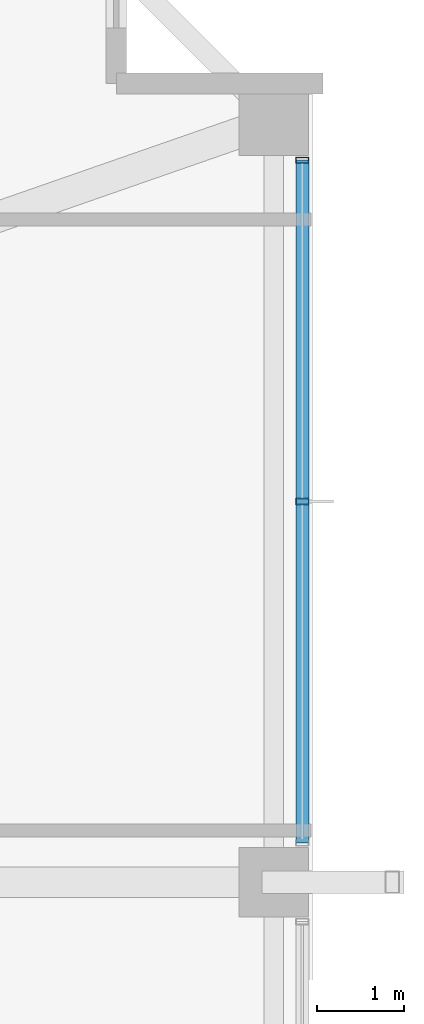
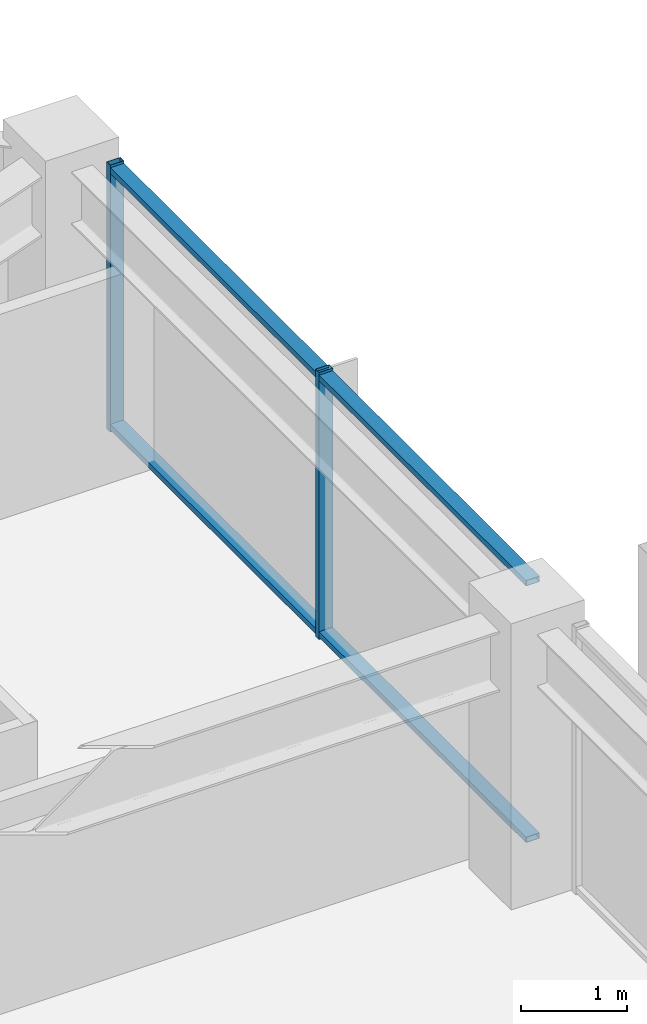
# One storey, part 23 of 38: 4 members, 1 element without a shape of its own.
"""IFC4 building model written with IfcOpenShell, lengths in metres."""

from ifc_helpers import new_model, si_unit, direction, frame, origin, origin_2d, place, context, subcontext, project, spatial, hollow_rectangle, extrude, material, material_profile, profile_set, type_object, element, aggregate, save


model = new_model("IFC4")

# Units and contexts
model_context = context("Model", 3, precision=1e-05, world=origin(), true_north=direction((0.0, 1.0)))
body_context = subcontext(model_context, "Body", "Model", "MODEL_VIEW")
ifc_project = project(units=[si_unit("LENGTHUNIT", "METRE"), si_unit("AREAUNIT", "SQUARE_METRE"), si_unit("VOLUMEUNIT", "CUBIC_METRE"), si_unit("PLANEANGLEUNIT", "RADIAN"), si_unit("MASSUNIT", "GRAM", prefix="KILO")], contexts=[model_context])

# Site, building, storey
site_placement = place(None, origin())
site = spatial("IfcSite", under=ifc_project, at=site_placement, CompositionType="ELEMENT")
building_placement = place(site_placement, origin())
building = spatial("IfcBuilding", under=site, at=building_placement, Name="Kolvaren Belvedere", CompositionType="ELEMENT")
storey_placement = place(building_placement, frame((0.0, 0.0, 213.0)))
storey = spatial("IfcBuildingStorey", under=building, at=storey_placement, Name="L62", CompositionType="ELEMENT", Elevation=213.0)

# Curtain wall, members
ifc_material_1 = material(Name="Anodised pale-metal aluminium AA 6063-T6", Category="aluminium")
curtain_wall_type = type_object("IfcCurtainWallType", Name="CW-Z5-HIGH", PredefinedType="NOTDEFINED", material=ifc_material_1)
curtain_wall_placement = place(storey_placement, origin())
curtain_wall = element("IfcCurtainWall", 1, at=curtain_wall_placement, inside=storey, type_object=curtain_wall_type, Name="L62 Unitised Curtain Wall FCW-L62-E-B1", PredefinedType="NOTDEFINED")
ifc_material_2 = material(Name="Anodised pale-metal aluminium AA 6063-T6", Category="aluminium")
ifc_material_profile_1 = material_profile(ifc_material_2, hollow_rectangle(XDim=0.070068359375, YDim=0.14990234375, WallThickness=0.004150390625, at=origin_2d()), Name="ALU-MUL-150X70")
ifc_profile_set_1 = profile_set([ifc_material_profile_1], Name="Anodised pale-metal aluminium AA 6063-T6")
member_type_1 = type_object("IfcMemberType", Name="CW-MUL-150", PredefinedType="MULLION", material=ifc_profile_set_1)
member_1_placement = place(storey_placement, frame((20.280029296875, 12.945068359375, 0.0), z_axis=(0.0, 0.0, 1.0), x_axis=(0.0, 1.0, 0.0)))
member_1 = element("IfcMember", 2, at=member_1_placement, type_object=member_type_1, Name="FCW-L62-E-B1 Unitised Mullion 1", PredefinedType="MULLION", context=body_context, shape_type="SweptSolid", body=[
    extrude(hollow_rectangle(XDim=0.070068359375, YDim=0.14990234375, WallThickness=0.004150390625, at=origin_2d()), origin(), (0.0, 0.0, 1.0), 3.080078125),
])
member_2_placement = place(storey_placement, frame((20.280029296875, 9.0, 0.0), z_axis=(0.0, 0.0, 1.0), x_axis=(0.0, 1.0, 0.0)))
member_2 = element("IfcMember", 3, at=member_2_placement, type_object=member_type_1, Name="FCW-L62-E-B1 Unitised Mullion 2", PredefinedType="MULLION", context=body_context, shape_type="SweptSolid", body=[
    extrude(hollow_rectangle(XDim=0.070068359375, YDim=0.14990234375, WallThickness=0.004150390625, at=origin_2d()), origin(), (0.0, 0.0, 1.0), 3.080078125),
])
ifc_material_3 = material(Name="Anodised pale-metal aluminium AA 6063-T6", Category="aluminium")
ifc_material_profile_2 = material_profile(ifc_material_3, hollow_rectangle(XDim=0.06494140625, YDim=0.14990234375, WallThickness=0.00390625, at=origin_2d()), Name="ALU-TRN-150X65")
ifc_profile_set_2 = profile_set([ifc_material_profile_2], Name="Anodised pale-metal aluminium AA 6063-T6")
member_type_2 = type_object("IfcMemberType", Name="CW-TRN-150", PredefinedType="USERDEFINED", material=ifc_profile_set_2)
member_3_placement = place(storey_placement, frame((20.280029296875, 12.945068359375, 0.06005859375), z_axis=(0.0, -1.0, 0.0), x_axis=(0.0, 0.0, 1.0)))
member_3 = element("IfcMember", 4, at=member_3_placement, type_object=member_type_2, Name="FCW-L62-E-B1 Sill Transom", ObjectType="TRANSOM", PredefinedType="USERDEFINED", context=body_context, shape_type="SweptSolid", body=[
    extrude(hollow_rectangle(XDim=0.06494140625, YDim=0.14990234375, WallThickness=0.00390625, at=origin_2d()), origin(), (0.0, 0.0, 1.0), 7.89013671875),
])
member_4_placement = place(storey_placement, frame((20.280029296875, 12.945068359375, 3.02001953125), z_axis=(0.0, -1.0, 0.0), x_axis=(0.0, 0.0, 1.0)))
member_4 = element("IfcMember", 5, at=member_4_placement, type_object=member_type_2, Name="FCW-L62-E-B1 Head Transom", ObjectType="TRANSOM", PredefinedType="USERDEFINED", context=body_context, shape_type="SweptSolid", body=[
    extrude(hollow_rectangle(XDim=0.06494140625, YDim=0.14990234375, WallThickness=0.00390625, at=origin_2d()), origin(), (0.0, 0.0, 1.0), 7.89013671875),
])
aggregate(curtain_wall, [member_1, member_2, member_3, member_4])

save(model, "model.ifc")
